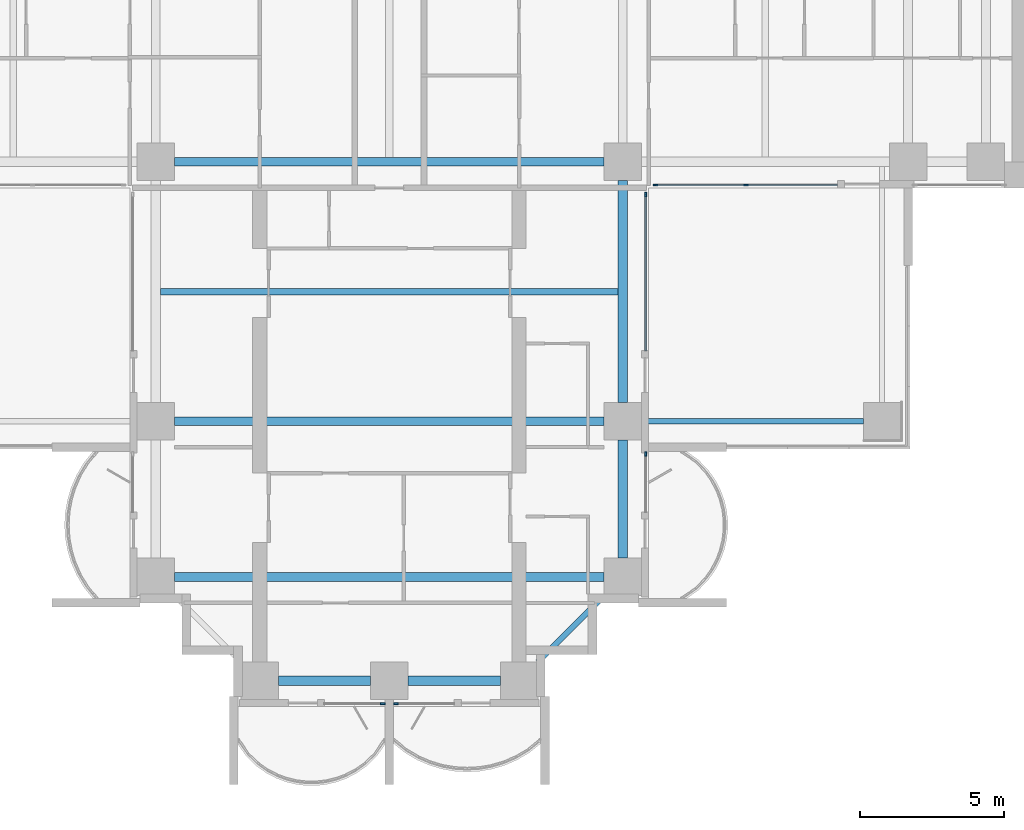
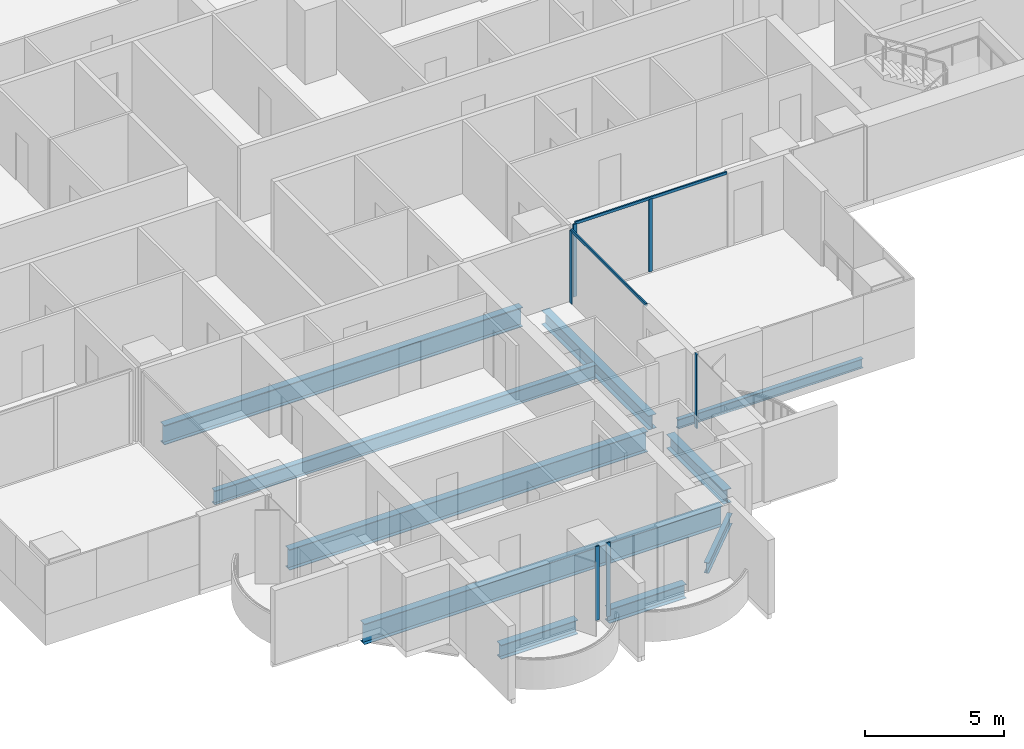
# One storey, part 3 of 21: 10 beams, 8 members, 5 elements without a shape of their own.
"""IFC4 building model written with IfcOpenShell, lengths in metres."""

from ifc_helpers import new_model, si_unit, direction, frame, origin, origin_2d, place, context, subcontext, project, spatial, rectangle, i_section, extrude, material, material_profile, profile_set, type_object, element, aggregate, save


model = new_model("IFC4")

# Units and contexts
model_context = context("Model", 3, precision=1e-05, world=origin(), true_north=direction((0.0, 1.0)))
body_context = subcontext(model_context, "Body", "Model", "MODEL_VIEW")
ifc_project = project(units=[si_unit("LENGTHUNIT", "METRE"), si_unit("AREAUNIT", "SQUARE_METRE"), si_unit("VOLUMEUNIT", "CUBIC_METRE"), si_unit("PLANEANGLEUNIT", "RADIAN"), si_unit("MASSUNIT", "GRAM", prefix="KILO")], contexts=[model_context])

# Site, building, storey
site_placement = place(None, origin())
site = spatial("IfcSite", under=ifc_project, at=site_placement, CompositionType="ELEMENT")
building_placement = place(site_placement, origin())
building = spatial("IfcBuilding", under=site, at=building_placement, Name="Perihelion Cross Residences", CompositionType="ELEMENT")
storey_placement = place(building_placement, frame((0.0, 0.0, 54.0)))
storey = spatial("IfcBuildingStorey", under=building, at=storey_placement, Name="L10", CompositionType="ELEMENT", Elevation=54.0)

# Curtain wall, member
ifc_material_1 = material(Name="Bronze anodised aluminium, tinted glazing", Category="aluminium")
curtain_wall_type = type_object("IfcCurtainWallType", Name="CW1", PredefinedType="NOTDEFINED", material=ifc_material_1)
curtain_wall_1_placement = place(storey_placement, origin())
curtain_wall_1 = element("IfcCurtainWall", 1, at=curtain_wall_1_placement, inside=storey, type_object=curtain_wall_type, Name="Curtain wall CW1 L10 south tip south bay 1", PredefinedType="NOTDEFINED")
ifc_material_2 = material(Name="Bronze anodised aluminium", Category="aluminium")
ifc_material_profile_1 = material_profile(ifc_material_2, rectangle(XDim=0.06005859375, YDim=0.159912109375, at=origin_2d()), Name="CW1 mullion")
ifc_profile_set_1 = profile_set([ifc_material_profile_1], Name="Bronze anodised aluminium")
member_type_1 = type_object("IfcMemberType", Name="CW1 mullion", PredefinedType="MULLION", material=ifc_profile_set_1)
member_1_placement = place(storey_placement, frame((-0.22998046875, -26.89990234375, 0.0), z_axis=(0.0, 0.0, 1.0), x_axis=(0.0, 1.0, 0.0)))
member_1 = element("IfcMember", 2, at=member_1_placement, type_object=member_type_1, Name="CW1 mullion 2", PredefinedType="MULLION", context=body_context, shape_type="SweptSolid", body=[
    extrude(rectangle(XDim=0.06005859375, YDim=0.159912109375, at=origin_2d()), origin(), (0.0, 0.0, 1.0), 3.25),
])
aggregate(curtain_wall_1, [member_1])

curtain_wall_2_placement = place(storey_placement, origin())
curtain_wall_2 = element("IfcCurtainWall", 3, at=curtain_wall_2_placement, inside=storey, type_object=curtain_wall_type, Name="Curtain wall CW1 L10 south tip south bay 2", PredefinedType="NOTDEFINED")
member_2_placement = place(storey_placement, frame((0.22998046875, -26.89990234375, 0.0), z_axis=(0.0, 0.0, 1.0), x_axis=(0.0, 1.0, 0.0)))
member_2 = element("IfcMember", 4, at=member_2_placement, type_object=member_type_1, Name="CW1 mullion 1", PredefinedType="MULLION", context=body_context, shape_type="SweptSolid", body=[
    extrude(rectangle(XDim=0.06005859375, YDim=0.159912109375, at=origin_2d()), origin(), (0.0, 0.0, 1.0), 3.25),
])
aggregate(curtain_wall_2, [member_2])

curtain_wall_3_placement = place(storey_placement, origin())
curtain_wall_3 = element("IfcCurtainWall", 5, at=curtain_wall_3_placement, inside=storey, type_object=curtain_wall_type, Name="Curtain wall CW1 L10 south side east bay 1", PredefinedType="NOTDEFINED")
member_3_placement = place(storey_placement, frame((8.89990234375, -18.22998046875, 0.0), z_axis=(0.0, 0.0, 1.0), x_axis=(-1.0, 0.0, 0.0)))
member_3 = element("IfcMember", 6, at=member_3_placement, type_object=member_type_1, Name="CW1 mullion 2", PredefinedType="MULLION", context=body_context, shape_type="SweptSolid", body=[
    extrude(rectangle(XDim=0.06005859375, YDim=0.159912109375, at=origin_2d()), origin(), (0.0, 0.0, 1.0), 3.25),
])
aggregate(curtain_wall_3, [member_3])

curtain_wall_4_placement = place(storey_placement, origin())
curtain_wall_4 = element("IfcCurtainWall", 7, at=curtain_wall_4_placement, inside=storey, type_object=curtain_wall_type, Name="Curtain wall CW1 L10 south side east bay 2", PredefinedType="NOTDEFINED")
member_4_placement = place(storey_placement, frame((8.89990234375, -9.22998046875, 0.0), z_axis=(0.0, 0.0, 1.0), x_axis=(-1.0, 0.0, 0.0)))
member_4 = element("IfcMember", 8, at=member_4_placement, type_object=member_type_1, Name="CW1 mullion 2", PredefinedType="MULLION", context=body_context, shape_type="SweptSolid", body=[
    extrude(rectangle(XDim=0.06005859375, YDim=0.159912109375, at=origin_2d()), origin(), (0.0, 0.0, 1.0), 3.18994140625),
])

# Curtain wall, members
curtain_wall_5_placement = place(storey_placement, origin())
curtain_wall_5 = element("IfcCurtainWall", 9, at=curtain_wall_5_placement, inside=storey, type_object=curtain_wall_type, Name="Curtain wall CW1 L10 east side south bay 1", PredefinedType="NOTDEFINED")
member_5_placement = place(storey_placement, frame((9.22998046875, -8.89990234375, 0.0), z_axis=(0.0, 0.0, 1.0), x_axis=(0.0, 1.0, 0.0)))
member_5 = element("IfcMember", 10, at=member_5_placement, type_object=member_type_1, Name="CW1 mullion 1", PredefinedType="MULLION", context=body_context, shape_type="SweptSolid", body=[
    extrude(rectangle(XDim=0.06005859375, YDim=0.159912109375, at=origin_2d()), origin(), (0.0, 0.0, 1.0), 3.18994140625),
])
member_6_placement = place(storey_placement, frame((12.375, -8.89990234375, 0.0), z_axis=(0.0, 0.0, 1.0), x_axis=(0.0, 1.0, 0.0)))
member_6 = element("IfcMember", 11, at=member_6_placement, type_object=member_type_1, Name="CW1 mullion 2", PredefinedType="MULLION", context=body_context, shape_type="SweptSolid", body=[
    extrude(rectangle(XDim=0.06005859375, YDim=0.159912109375, at=origin_2d()), origin(), (0.0, 0.0, 1.0), 3.18994140625),
])

# Member
ifc_material_3 = material(Name="Bronze anodised aluminium", Category="aluminium")
ifc_material_profile_2 = material_profile(ifc_material_3, rectangle(XDim=0.06005859375, YDim=0.1201171875, at=origin_2d()), Name="CW1 transom")
ifc_profile_set_2 = profile_set([ifc_material_profile_2], Name="Bronze anodised aluminium")
member_type_2 = type_object("IfcMemberType", Name="CW1 transom", PredefinedType="USERDEFINED", material=ifc_profile_set_2)
member_7_placement = place(storey_placement, frame((8.89990234375, -14.64990234375, 3.219970703125), z_axis=(0.0, 1.0, 0.0), x_axis=(-1.0, 0.0, 0.0)))
member_7 = element("IfcMember", 12, at=member_7_placement, type_object=member_type_2, Name="CW1 head transom", ObjectType="TRANSOM", PredefinedType="USERDEFINED", context=body_context, shape_type="SweptSolid", body=[
    extrude(rectangle(XDim=0.06005859375, YDim=0.1201171875, at=origin_2d()), origin(), (0.0, 0.0, 1.0), 5.419921875),
])

aggregate(curtain_wall_4, [member_4, member_7])

member_8_placement = place(storey_placement, frame((9.22998046875, -8.89990234375, 3.219970703125), z_axis=(1.0, 0.0, 0.0), x_axis=(0.0, 1.0, 0.0)))
member_8 = element("IfcMember", 13, at=member_8_placement, type_object=member_type_2, Name="CW1 head transom", ObjectType="TRANSOM", PredefinedType="USERDEFINED", context=body_context, shape_type="SweptSolid", body=[
    extrude(rectangle(XDim=0.06005859375, YDim=0.1201171875, at=origin_2d()), origin(), (0.0, 0.0, 1.0), 6.320068359375),
])

aggregate(curtain_wall_5, [member_5, member_6, member_8])

# Beams
ifc_material_4 = material(Name="Steel S355", Category="steel")
ifc_material_profile_3 = material_profile(ifc_material_4, i_section(OverallWidth=0.177978515625, OverallDepth=0.406005859375, WebThickness=0.0078125, FlangeThickness=0.0126953125, at=origin_2d()), Name="W410x60")
ifc_profile_set_3 = profile_set([ifc_material_profile_3], Name="Steel S355")
beam_type_1 = type_object("IfcBeamType", Name="Core edge beam W410x60", PredefinedType="BEAM", material=ifc_profile_set_3)
beam_1_placement = place(storey_placement, frame((8.75, -17.10009765625, -0.452880859375), z_axis=(1.0, 0.0, 0.0), x_axis=(0.0, 1.0, 0.0)))
element("IfcBeam", 14, at=beam_1_placement, inside=storey, type_object=beam_type_1, Name="Core edge beam TB2 L10 corner no. 6", PredefinedType="BEAM", context=body_context, shape_type="SweptSolid", body=[
    extrude(i_section(OverallWidth=0.177978515625, OverallDepth=0.406005859375, WebThickness=0.0078125, FlangeThickness=0.0126953125, at=origin_2d()), origin(), (0.0, 0.0, 1.0), 7.699951171875),
])
ifc_material_5 = material(Name="Steel S355", Category="steel")
ifc_material_profile_4 = material_profile(ifc_material_5, i_section(OverallWidth=0.324951171875, OverallDepth=0.616943359375, WebThickness=0.013916015625, FlangeThickness=0.021484375, at=origin_2d()), Name="W610x174")
ifc_profile_set_4 = profile_set([ifc_material_profile_4], Name="Steel S355")
beam_type_2 = type_object("IfcBeamType", Name="Edge beam W610x174", PredefinedType="SPANDREL", material=ifc_profile_set_4)
for number, where, z_axis, x_axis, name in (
    (15, (-3.85009765625, -26.10009765625, -0.55859375), (1.0, 0.0, 0.0), (0.0, 1.0, 0.0), "Edge beam SB2 L10 no. 4"),
    (16, (0.64990234375, -26.10009765625, -0.55859375), (1.0, 0.0, 0.0), (0.0, 1.0, 0.0), "Edge beam SB2 L10 no. 10"),
):
    element("IfcBeam", number, at=place(storey_placement, frame(where, z_axis=z_axis, x_axis=x_axis)), inside=storey, type_object=beam_type_2, Name=name, PredefinedType="SPANDREL", context=body_context, shape_type="SweptSolid", body=[
        extrude(i_section(OverallWidth=0.324951171875, OverallDepth=0.616943359375, WebThickness=0.013916015625, FlangeThickness=0.021484375, at=origin_2d()), origin(), (0.0, 0.0, 1.0), 3.2001953125),
    ])
beam_2_placement = place(storey_placement, frame((8.10009765625, -21.85009765625, -0.55859375), z_axis=(0.0, 1.0, 0.0), x_axis=(-1.0, 0.0, 0.0)))
element("IfcBeam", 17, at=beam_2_placement, inside=storey, type_object=beam_type_2, Name="Edge beam SB2 L10 no. 17", PredefinedType="SPANDREL", context=body_context, shape_type="SweptSolid", body=[
    extrude(i_section(OverallWidth=0.324951171875, OverallDepth=0.616943359375, WebThickness=0.013916015625, FlangeThickness=0.021484375, at=origin_2d()), origin(), (0.0, 0.0, 1.0), 4.10009765625),
])
beam_3_placement = place(storey_placement, frame((8.10009765625, -16.449951171875, -0.55859375), z_axis=(0.0, 1.0, 0.0), x_axis=(-1.0, 0.0, 0.0)))
element("IfcBeam", 18, at=beam_3_placement, inside=storey, type_object=beam_type_2, Name="Edge beam SB2 L10 no. 16", PredefinedType="SPANDREL", context=body_context, shape_type="SweptSolid", body=[
    extrude(i_section(OverallWidth=0.324951171875, OverallDepth=0.616943359375, WebThickness=0.013916015625, FlangeThickness=0.021484375, at=origin_2d()), origin(), (0.0, 0.0, 1.0), 7.699951171875),
])
ifc_material_6 = material(Name="Steel S355", Category="steel")
ifc_material_profile_5 = material_profile(ifc_material_6, i_section(OverallWidth=0.304931640625, OverallDepth=0.904052734375, WebThickness=0.01513671875, FlangeThickness=0.02001953125, at=origin_2d()), Name="W920x201")
ifc_profile_set_5 = profile_set([ifc_material_profile_5], Name="Steel S355")
beam_type_3 = type_object("IfcBeamType", Name="Floor girder W920x201", PredefinedType="BEAM", material=ifc_profile_set_5)
for number, where, z_axis, x_axis, name in (
    (19, (-7.449951171875, -17.10009765625, -0.701904296875), (1.0, 0.0, 0.0), (0.0, 1.0, 0.0), "Girder G2 L10 no. 3"),
    (20, (-7.449951171875, -22.5, -0.701904296875), (1.0, 0.0, 0.0), (0.0, 1.0, 0.0), "Girder G2 L10 no. 4"),
):
    element("IfcBeam", number, at=place(storey_placement, frame(where, z_axis=z_axis, x_axis=x_axis)), inside=storey, type_object=beam_type_3, Name=name, PredefinedType="BEAM", context=body_context, shape_type="SweptSolid", body=[
        extrude(i_section(OverallWidth=0.304931640625, OverallDepth=0.904052734375, WebThickness=0.01513671875, FlangeThickness=0.02001953125, at=origin_2d()), origin(), (0.0, 0.0, 1.0), 14.89990234375),
    ])
ifc_material_7 = material(Name="Steel S355", Category="steel")
ifc_material_profile_6 = material_profile(ifc_material_7, i_section(OverallWidth=0.22900390625, OverallDepth=0.612060546875, WebThickness=0.011962890625, FlangeThickness=0.01953125, at=origin_2d()), Name="W610x125")
ifc_profile_set_6 = profile_set([ifc_material_profile_6], Name="Steel S355")
beam_type_4 = type_object("IfcBeamType", Name="Floor joist W610x125", PredefinedType="JOIST", material=ifc_profile_set_6)
beam_4_placement = place(storey_placement, frame((-7.9375, -12.60009765625, -0.555908203125), z_axis=(1.0, 0.0, 0.0), x_axis=(0.0, 1.0, 0.0)))
element("IfcBeam", 21, at=beam_4_placement, inside=storey, type_object=beam_type_4, Name="Joist J3 L10 no. 3", PredefinedType="JOIST", context=body_context, shape_type="SweptSolid", body=[
    extrude(i_section(OverallWidth=0.22900390625, OverallDepth=0.612060546875, WebThickness=0.011962890625, FlangeThickness=0.01953125, at=origin_2d()), origin(), (0.0, 0.0, 1.0), 15.875),
])
ifc_material_8 = material(Name="Steel S355", Category="steel")
ifc_material_profile_7 = material_profile(ifc_material_8, i_section(OverallWidth=0.2919921875, OverallDepth=0.85888671875, WebThickness=0.01708984375, FlangeThickness=0.031005859375, at=origin_2d()), Name="W840x251")
ifc_profile_set_7 = profile_set([ifc_material_profile_7], Name="Steel S355")
beam_type_5 = type_object("IfcBeamType", Name="Hub ring girder W840x251", PredefinedType="BEAM", material=ifc_profile_set_7)
beam_5_placement = place(storey_placement, frame((-7.449951171875, -8.10009765625, -0.679443359375), z_axis=(1.0, 0.0, 0.0), x_axis=(0.0, 1.0, 0.0)))
element("IfcBeam", 22, at=beam_5_placement, inside=storey, type_object=beam_type_5, Name="Hub ring girder RG2 L10 no. 1", PredefinedType="BEAM", context=body_context, shape_type="SweptSolid", body=[
    extrude(i_section(OverallWidth=0.2919921875, OverallDepth=0.85888671875, WebThickness=0.01708984375, FlangeThickness=0.031005859375, at=origin_2d()), origin(), (0.0, 0.0, 1.0), 14.89990234375),
])
ifc_material_9 = material(Name="Steel S355", Category="steel")
ifc_material_profile_8 = material_profile(ifc_material_9, i_section(OverallWidth=0.194091796875, OverallDepth=0.469970703125, WebThickness=0.0126953125, FlangeThickness=0.0205078125, at=origin_2d()), Name="W460x106")
ifc_profile_set_8 = profile_set([ifc_material_profile_8], Name="Steel S355")
beam_type_6 = type_object("IfcBeamType", Name="Serration edge beam W460x106", PredefinedType="BEAM", material=ifc_profile_set_8)
beam_6_placement = place(storey_placement, frame((5.14990234375, -25.449951171875, -0.485107421875), z_axis=(0.707106781187, 0.707106781187, 0.0), x_axis=(-0.707106781187, 0.707106781187, 0.0)))
element("IfcBeam", 23, at=beam_6_placement, inside=storey, type_object=beam_type_6, Name="Serration edge beam EB2 L10 no. 3", PredefinedType="BEAM", context=body_context, shape_type="SweptSolid", body=[
    extrude(i_section(OverallWidth=0.194091796875, OverallDepth=0.469970703125, WebThickness=0.0126953125, FlangeThickness=0.0205078125, at=origin_2d()), origin(), (0.0, 0.0, 1.0), 3.252685546875),
])

save(model, "model.ifc")
